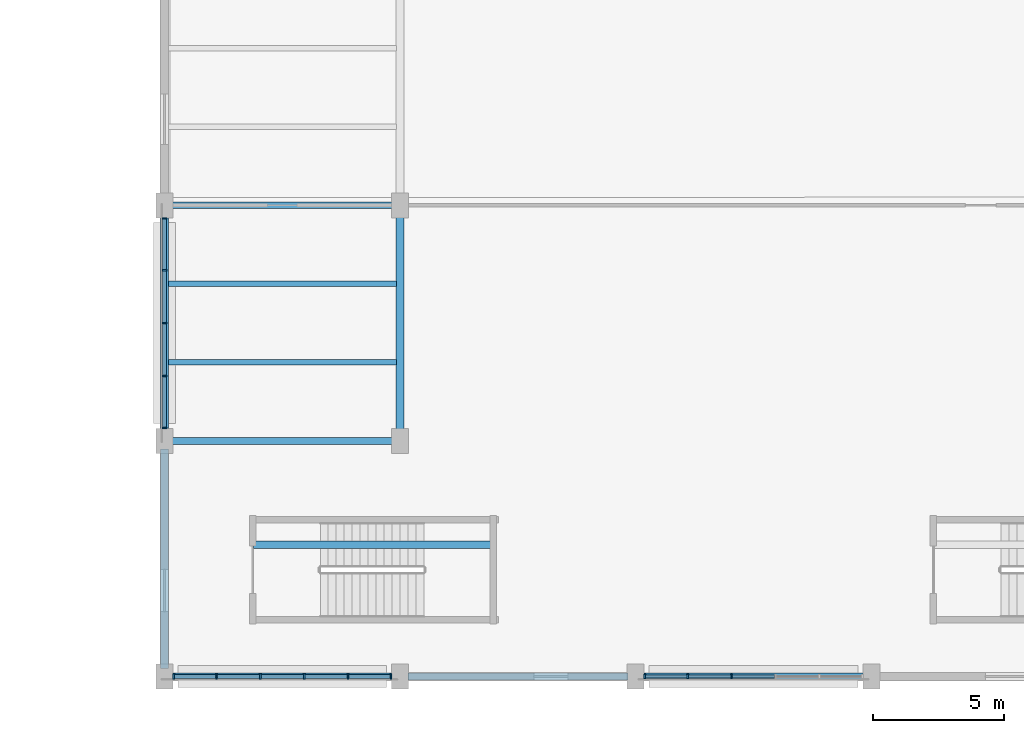
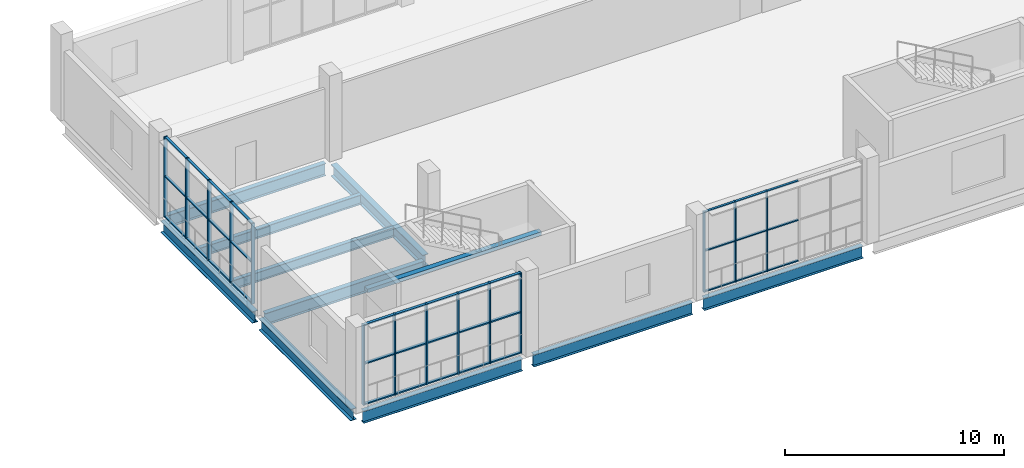
# One storey, part 3 of 179: 50 members, 11 beams, 3 elements without a shape of their own.
"""IFC4 building model written with IfcOpenShell, lengths in metres."""

from ifc_helpers import new_model, si_unit, direction, frame, origin, origin_2d, place, context, subcontext, project, spatial, rectangle, i_section, extrude, material, material_profile, profile_set, type_object, element, aggregate, save


model = new_model("IFC4")

# Units and contexts
model_context = context("Model", 3, precision=1e-05, world=origin(), true_north=direction((0.0, 1.0)))
body_context = subcontext(model_context, "Body", "Model", "MODEL_VIEW")
ifc_project = project(units=[si_unit("LENGTHUNIT", "METRE"), si_unit("AREAUNIT", "SQUARE_METRE"), si_unit("VOLUMEUNIT", "CUBIC_METRE"), si_unit("PLANEANGLEUNIT", "RADIAN"), si_unit("MASSUNIT", "GRAM", prefix="KILO")], contexts=[model_context])

# Site, building, storey
site_placement = place(None, origin())
site = spatial("IfcSite", under=ifc_project, at=site_placement, CompositionType="ELEMENT")
building_placement = place(site_placement, origin())
building = spatial("IfcBuilding", under=site, at=building_placement, Name="Zevraka Park Crest Stadium", CompositionType="ELEMENT")
storey_placement = place(building_placement, frame((0.0, 0.0, 10.199951171875)))
storey = spatial("IfcBuildingStorey", under=building, at=storey_placement, Name="L02", CompositionType="ELEMENT", Elevation=10.199951171875)

# Beams
ifc_material_1 = material(Name="Steel S355", Category="steel")
ifc_material_profile_1 = material_profile(ifc_material_1, i_section(OverallWidth=0.253662109375, OverallDepth=0.68359375, WebThickness=0.012451171875, FlangeThickness=0.01904296875, at=origin_2d()), Name="UKB 686x254x140")
ifc_profile_set_1 = profile_set([ifc_material_profile_1], Name="Steel S355")
beam_type_1 = type_object("IfcBeamType", Name="BG05", PredefinedType="BEAM", material=ifc_profile_set_1)
for number, where, z_axis, x_axis, name in (
    (1, (9.300048828125, 0.0, -0.629638671875), (1.0, 0.0, 0.0), (0.0, 1.0, 0.0), "Wing Girder BG05 L02-23/A"),
    (2, (9.300048828125, 9.0, -0.629638671875), (1.0, 0.0, 0.0), (0.0, 1.0, 0.0), "Wing Girder BG05 L02-23/B"),
    (3, (9.300048828125, 18.0, -0.629638671875), (1.0, 0.0, 0.0), (0.0, 1.0, 0.0), "Wing Girder BG05 L02-23/C"),
    (4, (18.300048828125, 0.0, -0.629638671875), (1.0, 0.0, 0.0), (0.0, 1.0, 0.0), "Wing Girder BG05 L02-34/A"),
    (5, (27.300048828125, 0.0, -0.629638671875), (1.0, 0.0, 0.0), (0.0, 1.0, 0.0), "Wing Girder BG05 L02-45/A"),
):
    element("IfcBeam", number, at=place(storey_placement, frame(where, z_axis=z_axis, x_axis=x_axis)), inside=storey, type_object=beam_type_1, Name=name, PredefinedType="BEAM", context=body_context, shape_type="SweptSolid", body=[
        extrude(i_section(OverallWidth=0.253662109375, OverallDepth=0.68359375, WebThickness=0.012451171875, FlangeThickness=0.01904296875, at=origin_2d()), origin(), (0.0, 0.0, 1.0), 8.39990234375),
    ])
ifc_material_2 = material(Name="Steel S355", Category="steel")
ifc_material_profile_2 = material_profile(ifc_material_2, i_section(OverallWidth=0.300048828125, OverallDepth=0.64990234375, WebThickness=0.01611328125, FlangeThickness=0.031005859375, at=origin_2d()), Name="HEB 650")
ifc_profile_set_2 = profile_set([ifc_material_profile_2], Name="Steel S355")
beam_type_2 = type_object("IfcBeamType", Name="BG07", PredefinedType="BEAM", material=ifc_profile_set_2)
for number, where, z_axis, x_axis, name in (
    (6, (9.0, 0.300048828125, -0.613037109375), (0.0, 1.0, 0.0), (-1.0, 0.0, 0.0), "Wing Girder BG07 L02-2/AB"),
    (7, (9.0, 9.300048828125, -0.613037109375), (0.0, 1.0, 0.0), (-1.0, 0.0, 0.0), "Wing Girder BG07 L02-2/BC"),
    (8, (18.0, 9.300048828125, -0.613037109375), (0.0, 1.0, 0.0), (-1.0, 0.0, 0.0), "Wing Girder BG07 L02-3/BC"),
):
    element("IfcBeam", number, at=place(storey_placement, frame(where, z_axis=z_axis, x_axis=x_axis)), inside=storey, type_object=beam_type_2, Name=name, PredefinedType="BEAM", context=body_context, shape_type="SweptSolid", body=[
        extrude(i_section(OverallWidth=0.300048828125, OverallDepth=0.64990234375, WebThickness=0.01611328125, FlangeThickness=0.031005859375, at=origin_2d()), origin(), (0.0, 0.0, 1.0), 8.39990234375),
    ])

# Curtain wall, members
ifc_material_3 = material(Name="Anodised architectural aluminium and laminated safety glass", Category="aluminium")
curtain_wall_type_1 = type_object("IfcCurtainWallType", Name="CW28", PredefinedType="NOTDEFINED", material=ifc_material_3)
curtain_wall_1_placement = place(storey_placement, origin())
curtain_wall_1 = element("IfcCurtainWall", 9, at=curtain_wall_1_placement, inside=storey, type_object=curtain_wall_type_1, Name="Wing Curtain Wall CW28 L02-SW-S1-6", PredefinedType="NOTDEFINED")
ifc_material_4 = material(Name="Anodised architectural aluminium", Category="aluminium")
ifc_material_profile_3 = material_profile(ifc_material_4, rectangle(XDim=0.159912109375, YDim=0.06005859375, at=origin_2d()), Name="ALU MULLION 160x60")
ifc_profile_set_3 = profile_set([ifc_material_profile_3], Name="Anodised architectural aluminium")
member_type_1 = type_object("IfcMemberType", Name="CM01", PredefinedType="MULLION", material=ifc_profile_set_3)
member_1_placement = place(storey_placement, frame((30.6630859375, 0.0, 0.0), z_axis=(0.0, 0.0, 1.0), x_axis=(0.0, -1.0, 0.0)))
member_1 = element("IfcMember", 10, at=member_1_placement, type_object=member_type_1, Name="CW28 mullion 4", PredefinedType="MULLION", context=body_context, shape_type="SweptSolid", body=[
    extrude(rectangle(XDim=0.159912109375, YDim=0.06005859375, at=origin_2d()), origin(), (0.0, 0.0, 1.0), 4.5),
])
member_2_placement = place(storey_placement, frame((28.989013671875, 0.0, 0.0), z_axis=(0.0, 0.0, 1.0), x_axis=(0.0, -1.0, 0.0)))
member_2 = element("IfcMember", 11, at=member_2_placement, type_object=member_type_1, Name="CW28 mullion 5", PredefinedType="MULLION", context=body_context, shape_type="SweptSolid", body=[
    extrude(rectangle(XDim=0.159912109375, YDim=0.06005859375, at=origin_2d()), origin(), (0.0, 0.0, 1.0), 4.5),
])
member_3_placement = place(storey_placement, frame((27.344970703125, 0.0, 0.0), z_axis=(0.0, 0.0, 1.0), x_axis=(0.0, -1.0, 0.0)))
member_3 = element("IfcMember", 12, at=member_3_placement, type_object=member_type_1, Name="CW28 mullion 6", PredefinedType="MULLION", context=body_context, shape_type="SweptSolid", body=[
    extrude(rectangle(XDim=0.159912109375, YDim=0.06005859375, at=origin_2d()), origin(), (0.0, 0.0, 1.0), 4.5),
])

ifc_material_5 = material(Name="Anodised architectural aluminium and laminated safety glass", Category="aluminium")
curtain_wall_type_2 = type_object("IfcCurtainWallType", Name="CW29", PredefinedType="NOTDEFINED", material=ifc_material_5)
curtain_wall_2_placement = place(storey_placement, origin())
curtain_wall_2 = element("IfcCurtainWall", 13, at=curtain_wall_2_placement, inside=storey, type_object=curtain_wall_type_2, Name="Wing Curtain Wall CW29 L02-SW-W-2", PredefinedType="NOTDEFINED")
ifc_material_6 = material(Name="Anodised architectural aluminium", Category="aluminium")
ifc_material_profile_4 = material_profile(ifc_material_6, rectangle(XDim=0.179931640625, YDim=0.06494140625, at=origin_2d()), Name="ALU MULLION 180x65")
ifc_profile_set_4 = profile_set([ifc_material_profile_4], Name="Anodised architectural aluminium")
member_type_2 = type_object("IfcMemberType", Name="CM02", PredefinedType="MULLION", material=ifc_profile_set_4)
member_4_placement = place(storey_placement, frame((9.0, 9.49755859375, 0.0), z_axis=(0.0, 0.0, 1.0), x_axis=(-1.0, 0.0, 0.0)))
member_4 = element("IfcMember", 14, at=member_4_placement, type_object=member_type_2, Name="CW29 mullion 1", PredefinedType="MULLION", context=body_context, shape_type="SweptSolid", body=[
    extrude(rectangle(XDim=0.179931640625, YDim=0.06494140625, at=origin_2d()), origin(), (0.0, 0.0, 1.0), 4.5),
])
member_5_placement = place(storey_placement, frame((9.0, 11.482421875, 0.0), z_axis=(0.0, 0.0, 1.0), x_axis=(-1.0, 0.0, 0.0)))
member_5 = element("IfcMember", 15, at=member_5_placement, type_object=member_type_2, Name="CW29 mullion 2", PredefinedType="MULLION", context=body_context, shape_type="SweptSolid", body=[
    extrude(rectangle(XDim=0.179931640625, YDim=0.06494140625, at=origin_2d()), origin(), (0.0, 0.0, 1.0), 4.5),
])
member_6_placement = place(storey_placement, frame((9.0, 13.5, 0.0), z_axis=(0.0, 0.0, 1.0), x_axis=(-1.0, 0.0, 0.0)))
member_6 = element("IfcMember", 16, at=member_6_placement, type_object=member_type_2, Name="CW29 mullion 3", PredefinedType="MULLION", context=body_context, shape_type="SweptSolid", body=[
    extrude(rectangle(XDim=0.179931640625, YDim=0.06494140625, at=origin_2d()), origin(), (0.0, 0.0, 1.0), 4.5),
])
member_7_placement = place(storey_placement, frame((9.0, 15.517578125, 0.0), z_axis=(0.0, 0.0, 1.0), x_axis=(-1.0, 0.0, 0.0)))
member_7 = element("IfcMember", 17, at=member_7_placement, type_object=member_type_2, Name="CW29 mullion 4", PredefinedType="MULLION", context=body_context, shape_type="SweptSolid", body=[
    extrude(rectangle(XDim=0.179931640625, YDim=0.06494140625, at=origin_2d()), origin(), (0.0, 0.0, 1.0), 4.5),
])
member_8_placement = place(storey_placement, frame((9.0, 17.50244140625, 0.0), z_axis=(0.0, 0.0, 1.0), x_axis=(-1.0, 0.0, 0.0)))
member_8 = element("IfcMember", 18, at=member_8_placement, type_object=member_type_2, Name="CW29 mullion 5", PredefinedType="MULLION", context=body_context, shape_type="SweptSolid", body=[
    extrude(rectangle(XDim=0.179931640625, YDim=0.06494140625, at=origin_2d()), origin(), (0.0, 0.0, 1.0), 4.5),
])

ifc_material_7 = material(Name="Anodised architectural aluminium and laminated safety glass", Category="aluminium")
curtain_wall_type_3 = type_object("IfcCurtainWallType", Name="CW30", PredefinedType="NOTDEFINED", material=ifc_material_7)
curtain_wall_3_placement = place(storey_placement, origin())
curtain_wall_3 = element("IfcCurtainWall", 19, at=curtain_wall_3_placement, inside=storey, type_object=curtain_wall_type_3, Name="Wing Curtain Wall CW30 L02-SW-S1-8", PredefinedType="NOTDEFINED")
ifc_material_8 = material(Name="Anodised architectural aluminium", Category="aluminium")
ifc_material_profile_5 = material_profile(ifc_material_8, rectangle(XDim=0.199951171875, YDim=0.070068359375, at=origin_2d()), Name="ALU MULLION 200x70")
ifc_profile_set_5 = profile_set([ifc_material_profile_5], Name="Anodised architectural aluminium")
member_type_3 = type_object("IfcMemberType", Name="CM03", PredefinedType="MULLION", material=ifc_profile_set_5)
member_9_placement = place(storey_placement, frame((17.64990234375, 0.0, 0.0), z_axis=(0.0, 0.0, 1.0), x_axis=(0.0, -1.0, 0.0)))
member_9 = element("IfcMember", 20, at=member_9_placement, type_object=member_type_3, Name="CW30 mullion 1", PredefinedType="MULLION", context=body_context, shape_type="SweptSolid", body=[
    extrude(rectangle(XDim=0.199951171875, YDim=0.070068359375, at=origin_2d()), origin(), (0.0, 0.0, 1.0), 4.5),
])
member_10_placement = place(storey_placement, frame((16.010986328125, 0.0, 0.0), z_axis=(0.0, 0.0, 1.0), x_axis=(0.0, -1.0, 0.0)))
member_10 = element("IfcMember", 21, at=member_10_placement, type_object=member_type_3, Name="CW30 mullion 2", PredefinedType="MULLION", context=body_context, shape_type="SweptSolid", body=[
    extrude(rectangle(XDim=0.199951171875, YDim=0.070068359375, at=origin_2d()), origin(), (0.0, 0.0, 1.0), 4.5),
])
member_11_placement = place(storey_placement, frame((14.3369140625, 0.0, 0.0), z_axis=(0.0, 0.0, 1.0), x_axis=(0.0, -1.0, 0.0)))
member_11 = element("IfcMember", 22, at=member_11_placement, type_object=member_type_3, Name="CW30 mullion 3", PredefinedType="MULLION", context=body_context, shape_type="SweptSolid", body=[
    extrude(rectangle(XDim=0.199951171875, YDim=0.070068359375, at=origin_2d()), origin(), (0.0, 0.0, 1.0), 4.5),
])
member_12_placement = place(storey_placement, frame((12.6630859375, 0.0, 0.0), z_axis=(0.0, 0.0, 1.0), x_axis=(0.0, -1.0, 0.0)))
member_12 = element("IfcMember", 23, at=member_12_placement, type_object=member_type_3, Name="CW30 mullion 4", PredefinedType="MULLION", context=body_context, shape_type="SweptSolid", body=[
    extrude(rectangle(XDim=0.199951171875, YDim=0.070068359375, at=origin_2d()), origin(), (0.0, 0.0, 1.0), 4.5),
])
member_13_placement = place(storey_placement, frame((10.989013671875, 0.0, 0.0), z_axis=(0.0, 0.0, 1.0), x_axis=(0.0, -1.0, 0.0)))
member_13 = element("IfcMember", 24, at=member_13_placement, type_object=member_type_3, Name="CW30 mullion 5", PredefinedType="MULLION", context=body_context, shape_type="SweptSolid", body=[
    extrude(rectangle(XDim=0.199951171875, YDim=0.070068359375, at=origin_2d()), origin(), (0.0, 0.0, 1.0), 4.5),
])
member_14_placement = place(storey_placement, frame((9.35009765625, 0.0, 0.0), z_axis=(0.0, 0.0, 1.0), x_axis=(0.0, -1.0, 0.0)))
member_14 = element("IfcMember", 25, at=member_14_placement, type_object=member_type_3, Name="CW30 mullion 6", PredefinedType="MULLION", context=body_context, shape_type="SweptSolid", body=[
    extrude(rectangle(XDim=0.199951171875, YDim=0.070068359375, at=origin_2d()), origin(), (0.0, 0.0, 1.0), 4.5),
])

# Member
ifc_material_9 = material(Name="Anodised architectural aluminium", Category="aluminium")
ifc_material_profile_6 = material_profile(ifc_material_9, rectangle(XDim=0.1201171875, YDim=0.06005859375, at=origin_2d()), Name="ALU TRANSOM 120x60")
ifc_profile_set_6 = profile_set([ifc_material_profile_6], Name="Anodised architectural aluminium")
member_type_4 = type_object("IfcMemberType", Name="CT01", PredefinedType="USERDEFINED", material=ifc_profile_set_6)
member_15_placement = place(storey_placement, frame((32.306884765625, 0.0, 0.030029296875), z_axis=(-1.0, 0.0, 0.0), x_axis=(0.0, -1.0, 0.0)))
member_15 = element("IfcMember", 26, at=member_15_placement, type_object=member_type_4, Name="CW28 transom 3.1", ObjectType="TRANSOM", PredefinedType="USERDEFINED", context=body_context, shape_type="SweptSolid", body=[
    extrude(rectangle(XDim=0.1201171875, YDim=0.06005859375, at=origin_2d()), origin(), (0.0, 0.0, 1.0), 1.61376953125),
])

member_16_placement = place(storey_placement, frame((32.306884765625, 0.0, 2.300048828125), z_axis=(-1.0, 0.0, 0.0), x_axis=(0.0, -1.0, 0.0)))
member_16 = element("IfcMember", 27, at=member_16_placement, type_object=member_type_4, Name="CW28 transom 3.2", ObjectType="TRANSOM", PredefinedType="USERDEFINED", context=body_context, shape_type="SweptSolid", body=[
    extrude(rectangle(XDim=0.1201171875, YDim=0.06005859375, at=origin_2d()), origin(), (0.0, 0.0, 1.0), 1.61376953125),
])

member_17_placement = place(storey_placement, frame((32.306884765625, 0.0, 4.469970703125), z_axis=(-1.0, 0.0, 0.0), x_axis=(0.0, -1.0, 0.0)))
member_17 = element("IfcMember", 28, at=member_17_placement, type_object=member_type_4, Name="CW28 transom 3.3", ObjectType="TRANSOM", PredefinedType="USERDEFINED", context=body_context, shape_type="SweptSolid", body=[
    extrude(rectangle(XDim=0.1201171875, YDim=0.06005859375, at=origin_2d()), origin(), (0.0, 0.0, 1.0), 1.61376953125),
])

member_18_placement = place(storey_placement, frame((30.633056640625, 0.0, 0.030029296875), z_axis=(-1.0, 0.0, 0.0), x_axis=(0.0, -1.0, 0.0)))
member_18 = element("IfcMember", 29, at=member_18_placement, type_object=member_type_4, Name="CW28 transom 4.1", ObjectType="TRANSOM", PredefinedType="USERDEFINED", context=body_context, shape_type="SweptSolid", body=[
    extrude(rectangle(XDim=0.1201171875, YDim=0.06005859375, at=origin_2d()), origin(), (0.0, 0.0, 1.0), 1.614013671875),
])

member_19_placement = place(storey_placement, frame((30.633056640625, 0.0, 2.300048828125), z_axis=(-1.0, 0.0, 0.0), x_axis=(0.0, -1.0, 0.0)))
member_19 = element("IfcMember", 30, at=member_19_placement, type_object=member_type_4, Name="CW28 transom 4.2", ObjectType="TRANSOM", PredefinedType="USERDEFINED", context=body_context, shape_type="SweptSolid", body=[
    extrude(rectangle(XDim=0.1201171875, YDim=0.06005859375, at=origin_2d()), origin(), (0.0, 0.0, 1.0), 1.614013671875),
])

member_20_placement = place(storey_placement, frame((30.633056640625, 0.0, 4.469970703125), z_axis=(-1.0, 0.0, 0.0), x_axis=(0.0, -1.0, 0.0)))
member_20 = element("IfcMember", 31, at=member_20_placement, type_object=member_type_4, Name="CW28 transom 4.3", ObjectType="TRANSOM", PredefinedType="USERDEFINED", context=body_context, shape_type="SweptSolid", body=[
    extrude(rectangle(XDim=0.1201171875, YDim=0.06005859375, at=origin_2d()), origin(), (0.0, 0.0, 1.0), 1.614013671875),
])

member_21_placement = place(storey_placement, frame((28.958984375, 0.0, 0.030029296875), z_axis=(-1.0, 0.0, 0.0), x_axis=(0.0, -1.0, 0.0)))
member_21 = element("IfcMember", 32, at=member_21_placement, type_object=member_type_4, Name="CW28 transom 5.1", ObjectType="TRANSOM", PredefinedType="USERDEFINED", context=body_context, shape_type="SweptSolid", body=[
    extrude(rectangle(XDim=0.1201171875, YDim=0.06005859375, at=origin_2d()), origin(), (0.0, 0.0, 1.0), 1.583984375),
])

member_22_placement = place(storey_placement, frame((28.958984375, 0.0, 2.300048828125), z_axis=(-1.0, 0.0, 0.0), x_axis=(0.0, -1.0, 0.0)))
member_22 = element("IfcMember", 33, at=member_22_placement, type_object=member_type_4, Name="CW28 transom 5.2", ObjectType="TRANSOM", PredefinedType="USERDEFINED", context=body_context, shape_type="SweptSolid", body=[
    extrude(rectangle(XDim=0.1201171875, YDim=0.06005859375, at=origin_2d()), origin(), (0.0, 0.0, 1.0), 1.583984375),
])

member_23_placement = place(storey_placement, frame((28.958984375, 0.0, 4.469970703125), z_axis=(-1.0, 0.0, 0.0), x_axis=(0.0, -1.0, 0.0)))
member_23 = element("IfcMember", 34, at=member_23_placement, type_object=member_type_4, Name="CW28 transom 5.3", ObjectType="TRANSOM", PredefinedType="USERDEFINED", context=body_context, shape_type="SweptSolid", body=[
    extrude(rectangle(XDim=0.1201171875, YDim=0.06005859375, at=origin_2d()), origin(), (0.0, 0.0, 1.0), 1.583984375),
])

aggregate(curtain_wall_1, [member_1, member_2, member_3, member_15, member_16, member_17, member_18, member_19, member_20, member_21, member_22, member_23])

ifc_material_10 = material(Name="Anodised architectural aluminium", Category="aluminium")
ifc_material_profile_7 = material_profile(ifc_material_10, rectangle(XDim=0.139892578125, YDim=0.06494140625, at=origin_2d()), Name="ALU TRANSOM 140x65")
ifc_profile_set_7 = profile_set([ifc_material_profile_7], Name="Anodised architectural aluminium")
member_type_5 = type_object("IfcMemberType", Name="CT02", PredefinedType="USERDEFINED", material=ifc_profile_set_7)
member_24_placement = place(storey_placement, frame((9.0, 9.530029296875, 0.032470703125), z_axis=(0.0, 1.0, 0.0), x_axis=(-1.0, 0.0, 0.0)))
member_24 = element("IfcMember", 35, at=member_24_placement, type_object=member_type_5, Name="CW29 transom 1.1", ObjectType="TRANSOM", PredefinedType="USERDEFINED", context=body_context, shape_type="SweptSolid", body=[
    extrude(rectangle(XDim=0.139892578125, YDim=0.06494140625, at=origin_2d()), origin(), (0.0, 0.0, 1.0), 1.919921875),
])

member_25_placement = place(storey_placement, frame((9.0, 9.530029296875, 2.300048828125), z_axis=(0.0, 1.0, 0.0), x_axis=(-1.0, 0.0, 0.0)))
member_25 = element("IfcMember", 36, at=member_25_placement, type_object=member_type_5, Name="CW29 transom 1.2", ObjectType="TRANSOM", PredefinedType="USERDEFINED", context=body_context, shape_type="SweptSolid", body=[
    extrude(rectangle(XDim=0.139892578125, YDim=0.06494140625, at=origin_2d()), origin(), (0.0, 0.0, 1.0), 1.919921875),
])

member_26_placement = place(storey_placement, frame((9.0, 9.530029296875, 4.467529296875), z_axis=(0.0, 1.0, 0.0), x_axis=(-1.0, 0.0, 0.0)))
member_26 = element("IfcMember", 37, at=member_26_placement, type_object=member_type_5, Name="CW29 transom 1.3", ObjectType="TRANSOM", PredefinedType="USERDEFINED", context=body_context, shape_type="SweptSolid", body=[
    extrude(rectangle(XDim=0.139892578125, YDim=0.06494140625, at=origin_2d()), origin(), (0.0, 0.0, 1.0), 1.919921875),
])

member_27_placement = place(storey_placement, frame((9.0, 11.514892578125, 0.032470703125), z_axis=(0.0, 1.0, 0.0), x_axis=(-1.0, 0.0, 0.0)))
member_27 = element("IfcMember", 38, at=member_27_placement, type_object=member_type_5, Name="CW29 transom 2.1", ObjectType="TRANSOM", PredefinedType="USERDEFINED", context=body_context, shape_type="SweptSolid", body=[
    extrude(rectangle(XDim=0.139892578125, YDim=0.06494140625, at=origin_2d()), origin(), (0.0, 0.0, 1.0), 1.95263671875),
])

member_28_placement = place(storey_placement, frame((9.0, 11.514892578125, 2.300048828125), z_axis=(0.0, 1.0, 0.0), x_axis=(-1.0, 0.0, 0.0)))
member_28 = element("IfcMember", 39, at=member_28_placement, type_object=member_type_5, Name="CW29 transom 2.2", ObjectType="TRANSOM", PredefinedType="USERDEFINED", context=body_context, shape_type="SweptSolid", body=[
    extrude(rectangle(XDim=0.139892578125, YDim=0.06494140625, at=origin_2d()), origin(), (0.0, 0.0, 1.0), 1.95263671875),
])

member_29_placement = place(storey_placement, frame((9.0, 11.514892578125, 4.467529296875), z_axis=(0.0, 1.0, 0.0), x_axis=(-1.0, 0.0, 0.0)))
member_29 = element("IfcMember", 40, at=member_29_placement, type_object=member_type_5, Name="CW29 transom 2.3", ObjectType="TRANSOM", PredefinedType="USERDEFINED", context=body_context, shape_type="SweptSolid", body=[
    extrude(rectangle(XDim=0.139892578125, YDim=0.06494140625, at=origin_2d()), origin(), (0.0, 0.0, 1.0), 1.95263671875),
])

member_30_placement = place(storey_placement, frame((9.0, 13.532470703125, 0.032470703125), z_axis=(0.0, 1.0, 0.0), x_axis=(-1.0, 0.0, 0.0)))
member_30 = element("IfcMember", 41, at=member_30_placement, type_object=member_type_5, Name="CW29 transom 3.1", ObjectType="TRANSOM", PredefinedType="USERDEFINED", context=body_context, shape_type="SweptSolid", body=[
    extrude(rectangle(XDim=0.139892578125, YDim=0.06494140625, at=origin_2d()), origin(), (0.0, 0.0, 1.0), 1.95263671875),
])

member_31_placement = place(storey_placement, frame((9.0, 13.532470703125, 2.300048828125), z_axis=(0.0, 1.0, 0.0), x_axis=(-1.0, 0.0, 0.0)))
member_31 = element("IfcMember", 42, at=member_31_placement, type_object=member_type_5, Name="CW29 transom 3.2", ObjectType="TRANSOM", PredefinedType="USERDEFINED", context=body_context, shape_type="SweptSolid", body=[
    extrude(rectangle(XDim=0.139892578125, YDim=0.06494140625, at=origin_2d()), origin(), (0.0, 0.0, 1.0), 1.95263671875),
])

member_32_placement = place(storey_placement, frame((9.0, 13.532470703125, 4.467529296875), z_axis=(0.0, 1.0, 0.0), x_axis=(-1.0, 0.0, 0.0)))
member_32 = element("IfcMember", 43, at=member_32_placement, type_object=member_type_5, Name="CW29 transom 3.3", ObjectType="TRANSOM", PredefinedType="USERDEFINED", context=body_context, shape_type="SweptSolid", body=[
    extrude(rectangle(XDim=0.139892578125, YDim=0.06494140625, at=origin_2d()), origin(), (0.0, 0.0, 1.0), 1.95263671875),
])

member_33_placement = place(storey_placement, frame((9.0, 15.550048828125, 0.032470703125), z_axis=(0.0, 1.0, 0.0), x_axis=(-1.0, 0.0, 0.0)))
member_33 = element("IfcMember", 44, at=member_33_placement, type_object=member_type_5, Name="CW29 transom 4.1", ObjectType="TRANSOM", PredefinedType="USERDEFINED", context=body_context, shape_type="SweptSolid", body=[
    extrude(rectangle(XDim=0.139892578125, YDim=0.06494140625, at=origin_2d()), origin(), (0.0, 0.0, 1.0), 1.919921875),
])

member_34_placement = place(storey_placement, frame((9.0, 15.550048828125, 2.300048828125), z_axis=(0.0, 1.0, 0.0), x_axis=(-1.0, 0.0, 0.0)))
member_34 = element("IfcMember", 45, at=member_34_placement, type_object=member_type_5, Name="CW29 transom 4.2", ObjectType="TRANSOM", PredefinedType="USERDEFINED", context=body_context, shape_type="SweptSolid", body=[
    extrude(rectangle(XDim=0.139892578125, YDim=0.06494140625, at=origin_2d()), origin(), (0.0, 0.0, 1.0), 1.919921875),
])

member_35_placement = place(storey_placement, frame((9.0, 15.550048828125, 4.467529296875), z_axis=(0.0, 1.0, 0.0), x_axis=(-1.0, 0.0, 0.0)))
member_35 = element("IfcMember", 46, at=member_35_placement, type_object=member_type_5, Name="CW29 transom 4.3", ObjectType="TRANSOM", PredefinedType="USERDEFINED", context=body_context, shape_type="SweptSolid", body=[
    extrude(rectangle(XDim=0.139892578125, YDim=0.06494140625, at=origin_2d()), origin(), (0.0, 0.0, 1.0), 1.919921875),
])

aggregate(curtain_wall_2, [member_4, member_5, member_6, member_7, member_8, member_24, member_25, member_26, member_27, member_28, member_29, member_30, member_31, member_32, member_33, member_34, member_35])

ifc_material_11 = material(Name="Anodised architectural aluminium", Category="aluminium")
ifc_material_profile_8 = material_profile(ifc_material_11, rectangle(XDim=0.14990234375, YDim=0.070068359375, at=origin_2d()), Name="ALU TRANSOM 150x70")
ifc_profile_set_8 = profile_set([ifc_material_profile_8], Name="Anodised architectural aluminium")
member_type_6 = type_object("IfcMemberType", Name="CT03", PredefinedType="USERDEFINED", material=ifc_profile_set_8)
member_36_placement = place(storey_placement, frame((17.614990234375, 0.0, 0.03515625), z_axis=(-1.0, 0.0, 0.0), x_axis=(0.0, -1.0, 0.0)))
member_36 = element("IfcMember", 47, at=member_36_placement, type_object=member_type_6, Name="CW30 transom 1.1", ObjectType="TRANSOM", PredefinedType="USERDEFINED", context=body_context, shape_type="SweptSolid", body=[
    extrude(rectangle(XDim=0.14990234375, YDim=0.070068359375, at=origin_2d()), origin(), (0.0, 0.0, 1.0), 1.569091796875),
])

member_37_placement = place(storey_placement, frame((17.614990234375, 0.0, 2.300048828125), z_axis=(-1.0, 0.0, 0.0), x_axis=(0.0, -1.0, 0.0)))
member_37 = element("IfcMember", 48, at=member_37_placement, type_object=member_type_6, Name="CW30 transom 1.2", ObjectType="TRANSOM", PredefinedType="USERDEFINED", context=body_context, shape_type="SweptSolid", body=[
    extrude(rectangle(XDim=0.14990234375, YDim=0.070068359375, at=origin_2d()), origin(), (0.0, 0.0, 1.0), 1.569091796875),
])

member_38_placement = place(storey_placement, frame((17.614990234375, 0.0, 4.465087890625), z_axis=(-1.0, 0.0, 0.0), x_axis=(0.0, -1.0, 0.0)))
member_38 = element("IfcMember", 49, at=member_38_placement, type_object=member_type_6, Name="CW30 transom 1.3", ObjectType="TRANSOM", PredefinedType="USERDEFINED", context=body_context, shape_type="SweptSolid", body=[
    extrude(rectangle(XDim=0.14990234375, YDim=0.070068359375, at=origin_2d()), origin(), (0.0, 0.0, 1.0), 1.569091796875),
])

member_39_placement = place(storey_placement, frame((15.97607421875, 0.0, 0.03515625), z_axis=(-1.0, 0.0, 0.0), x_axis=(0.0, -1.0, 0.0)))
member_39 = element("IfcMember", 50, at=member_39_placement, type_object=member_type_6, Name="CW30 transom 2.1", ObjectType="TRANSOM", PredefinedType="USERDEFINED", context=body_context, shape_type="SweptSolid", body=[
    extrude(rectangle(XDim=0.14990234375, YDim=0.070068359375, at=origin_2d()), origin(), (0.0, 0.0, 1.0), 1.60400390625),
])

member_40_placement = place(storey_placement, frame((15.97607421875, 0.0, 2.300048828125), z_axis=(-1.0, 0.0, 0.0), x_axis=(0.0, -1.0, 0.0)))
member_40 = element("IfcMember", 51, at=member_40_placement, type_object=member_type_6, Name="CW30 transom 2.2", ObjectType="TRANSOM", PredefinedType="USERDEFINED", context=body_context, shape_type="SweptSolid", body=[
    extrude(rectangle(XDim=0.14990234375, YDim=0.070068359375, at=origin_2d()), origin(), (0.0, 0.0, 1.0), 1.60400390625),
])

member_41_placement = place(storey_placement, frame((15.97607421875, 0.0, 4.465087890625), z_axis=(-1.0, 0.0, 0.0), x_axis=(0.0, -1.0, 0.0)))
member_41 = element("IfcMember", 52, at=member_41_placement, type_object=member_type_6, Name="CW30 transom 2.3", ObjectType="TRANSOM", PredefinedType="USERDEFINED", context=body_context, shape_type="SweptSolid", body=[
    extrude(rectangle(XDim=0.14990234375, YDim=0.070068359375, at=origin_2d()), origin(), (0.0, 0.0, 1.0), 1.60400390625),
])

member_42_placement = place(storey_placement, frame((14.302001953125, 0.0, 0.03515625), z_axis=(-1.0, 0.0, 0.0), x_axis=(0.0, -1.0, 0.0)))
member_42 = element("IfcMember", 53, at=member_42_placement, type_object=member_type_6, Name="CW30 transom 3.1", ObjectType="TRANSOM", PredefinedType="USERDEFINED", context=body_context, shape_type="SweptSolid", body=[
    extrude(rectangle(XDim=0.14990234375, YDim=0.070068359375, at=origin_2d()), origin(), (0.0, 0.0, 1.0), 1.60400390625),
])

member_43_placement = place(storey_placement, frame((14.302001953125, 0.0, 2.300048828125), z_axis=(-1.0, 0.0, 0.0), x_axis=(0.0, -1.0, 0.0)))
member_43 = element("IfcMember", 54, at=member_43_placement, type_object=member_type_6, Name="CW30 transom 3.2", ObjectType="TRANSOM", PredefinedType="USERDEFINED", context=body_context, shape_type="SweptSolid", body=[
    extrude(rectangle(XDim=0.14990234375, YDim=0.070068359375, at=origin_2d()), origin(), (0.0, 0.0, 1.0), 1.60400390625),
])

member_44_placement = place(storey_placement, frame((14.302001953125, 0.0, 4.465087890625), z_axis=(-1.0, 0.0, 0.0), x_axis=(0.0, -1.0, 0.0)))
member_44 = element("IfcMember", 55, at=member_44_placement, type_object=member_type_6, Name="CW30 transom 3.3", ObjectType="TRANSOM", PredefinedType="USERDEFINED", context=body_context, shape_type="SweptSolid", body=[
    extrude(rectangle(XDim=0.14990234375, YDim=0.070068359375, at=origin_2d()), origin(), (0.0, 0.0, 1.0), 1.60400390625),
])

member_45_placement = place(storey_placement, frame((12.6279296875, 0.0, 0.03515625), z_axis=(-1.0, 0.0, 0.0), x_axis=(0.0, -1.0, 0.0)))
member_45 = element("IfcMember", 56, at=member_45_placement, type_object=member_type_6, Name="CW30 transom 4.1", ObjectType="TRANSOM", PredefinedType="USERDEFINED", context=body_context, shape_type="SweptSolid", body=[
    extrude(rectangle(XDim=0.14990234375, YDim=0.070068359375, at=origin_2d()), origin(), (0.0, 0.0, 1.0), 1.60400390625),
])

member_46_placement = place(storey_placement, frame((12.6279296875, 0.0, 2.300048828125), z_axis=(-1.0, 0.0, 0.0), x_axis=(0.0, -1.0, 0.0)))
member_46 = element("IfcMember", 57, at=member_46_placement, type_object=member_type_6, Name="CW30 transom 4.2", ObjectType="TRANSOM", PredefinedType="USERDEFINED", context=body_context, shape_type="SweptSolid", body=[
    extrude(rectangle(XDim=0.14990234375, YDim=0.070068359375, at=origin_2d()), origin(), (0.0, 0.0, 1.0), 1.60400390625),
])

member_47_placement = place(storey_placement, frame((12.6279296875, 0.0, 4.465087890625), z_axis=(-1.0, 0.0, 0.0), x_axis=(0.0, -1.0, 0.0)))
member_47 = element("IfcMember", 58, at=member_47_placement, type_object=member_type_6, Name="CW30 transom 4.3", ObjectType="TRANSOM", PredefinedType="USERDEFINED", context=body_context, shape_type="SweptSolid", body=[
    extrude(rectangle(XDim=0.14990234375, YDim=0.070068359375, at=origin_2d()), origin(), (0.0, 0.0, 1.0), 1.60400390625),
])

member_48_placement = place(storey_placement, frame((10.9541015625, 0.0, 0.03515625), z_axis=(-1.0, 0.0, 0.0), x_axis=(0.0, -1.0, 0.0)))
member_48 = element("IfcMember", 59, at=member_48_placement, type_object=member_type_6, Name="CW30 transom 5.1", ObjectType="TRANSOM", PredefinedType="USERDEFINED", context=body_context, shape_type="SweptSolid", body=[
    extrude(rectangle(XDim=0.14990234375, YDim=0.070068359375, at=origin_2d()), origin(), (0.0, 0.0, 1.0), 1.569091796875),
])

member_49_placement = place(storey_placement, frame((10.9541015625, 0.0, 2.300048828125), z_axis=(-1.0, 0.0, 0.0), x_axis=(0.0, -1.0, 0.0)))
member_49 = element("IfcMember", 60, at=member_49_placement, type_object=member_type_6, Name="CW30 transom 5.2", ObjectType="TRANSOM", PredefinedType="USERDEFINED", context=body_context, shape_type="SweptSolid", body=[
    extrude(rectangle(XDim=0.14990234375, YDim=0.070068359375, at=origin_2d()), origin(), (0.0, 0.0, 1.0), 1.569091796875),
])

member_50_placement = place(storey_placement, frame((10.9541015625, 0.0, 4.465087890625), z_axis=(-1.0, 0.0, 0.0), x_axis=(0.0, -1.0, 0.0)))
member_50 = element("IfcMember", 61, at=member_50_placement, type_object=member_type_6, Name="CW30 transom 5.3", ObjectType="TRANSOM", PredefinedType="USERDEFINED", context=body_context, shape_type="SweptSolid", body=[
    extrude(rectangle(XDim=0.14990234375, YDim=0.070068359375, at=origin_2d()), origin(), (0.0, 0.0, 1.0), 1.569091796875),
])

aggregate(curtain_wall_3, [member_9, member_10, member_11, member_12, member_13, member_14, member_36, member_37, member_38, member_39, member_40, member_41, member_42, member_43, member_44, member_45, member_46, member_47, member_48, member_49, member_50])

# Beams
ifc_material_12 = material(Name="Steel S355", Category="steel")
ifc_material_profile_9 = material_profile(ifc_material_12, i_section(OverallWidth=0.209228515625, OverallDepth=0.533203125, WebThickness=0.010009765625, FlangeThickness=0.015625, at=origin_2d()), Name="UKB 533x210x92")
ifc_profile_set_9 = profile_set([ifc_material_profile_9], Name="Steel S355")
beam_type_3 = type_object("IfcBeamType", Name="SJ05", PredefinedType="JOIST", material=ifc_profile_set_9)
for number, where, z_axis, x_axis, name in (
    (62, (9.14501953125, 12.0, -0.556396484375), (1.0, 0.0, 0.0), (0.0, 1.0, 0.0), "Wing Joist SJ05 L02-2/B-1"),
    (63, (9.14501953125, 15.0, -0.556396484375), (1.0, 0.0, 0.0), (0.0, 1.0, 0.0), "Wing Joist SJ05 L02-2/B-2"),
):
    element("IfcBeam", number, at=place(storey_placement, frame(where, z_axis=z_axis, x_axis=x_axis)), inside=storey, type_object=beam_type_3, Name=name, PredefinedType="JOIST", context=body_context, shape_type="SweptSolid", body=[
        extrude(i_section(OverallWidth=0.209228515625, OverallDepth=0.533203125, WebThickness=0.010009765625, FlangeThickness=0.015625, at=origin_2d()), origin(), (0.0, 0.0, 1.0), 8.7099609375),
    ])
ifc_material_13 = material(Name="Concrete C40/50", Category="concrete")
ifc_material_profile_10 = material_profile(ifc_material_13, rectangle(XDim=0.280029296875, YDim=0.199951171875, at=origin_2d()), Name="RC 200x280")
ifc_profile_set_10 = profile_set([ifc_material_profile_10], Name="Concrete C40/50")
beam_type_4 = type_object("IfcBeamType", Name="SJ13", PredefinedType="JOIST", material=ifc_profile_set_10)
beam_placement = place(storey_placement, frame((12.39990234375, 5.034912109375, 2.300048828125), z_axis=(1.0, 0.0, 0.0), x_axis=(0.0, 1.0, 0.0)))
element("IfcBeam", 64, at=beam_placement, inside=storey, type_object=beam_type_4, Name="Stair Upper-Flight Longitudinal Stringer SJ13 ST51-L02", PredefinedType="JOIST", context=body_context, shape_type="SweptSolid", body=[
    extrude(rectangle(XDim=0.280029296875, YDim=0.199951171875, at=origin_2d()), origin(), (0.0, 0.0, 1.0), 9.2001953125),
])

save(model, "model.ifc")
